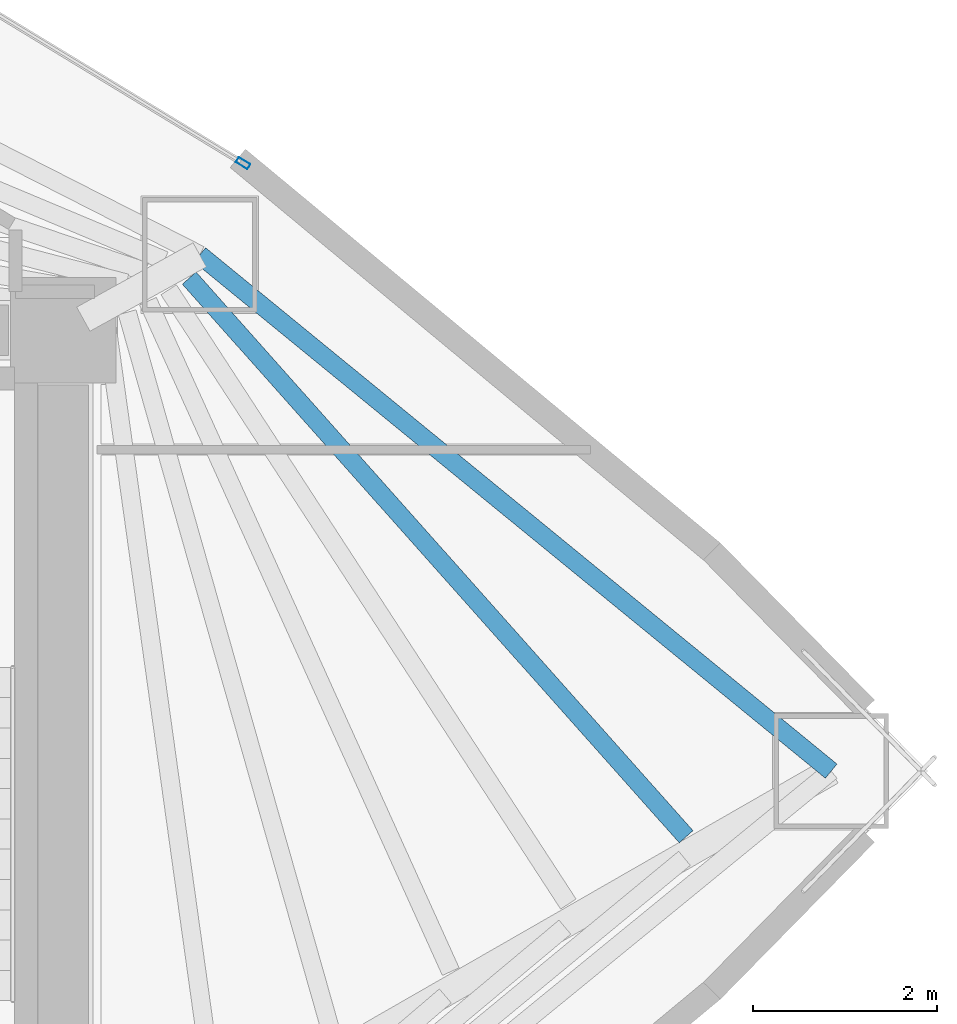
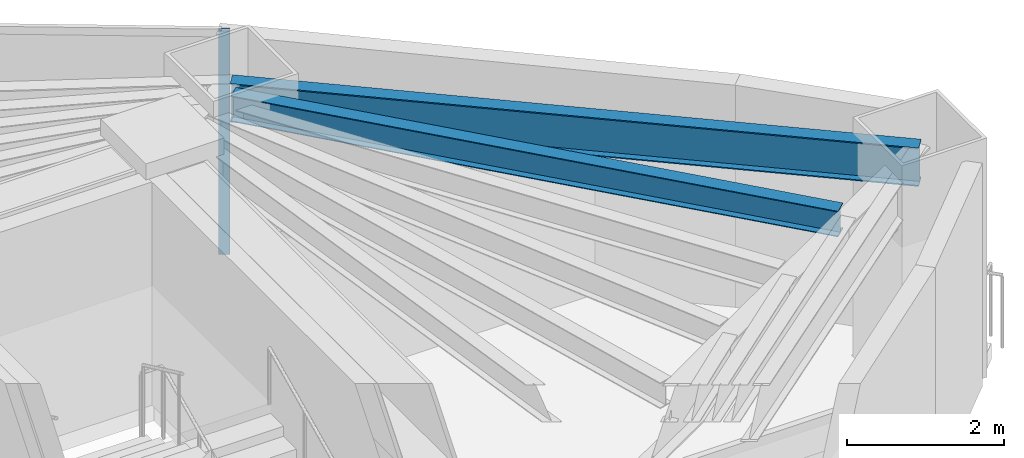
# One storey, part 12 of 18: 2 beams, 1 member, 1 element without a shape of its own.
"""IFC4 building model written with IfcOpenShell, lengths in metres."""

from ifc_helpers import new_model, si_unit, direction, frame, origin, origin_2d, place, context, subcontext, project, spatial, hollow_rectangle, i_section, extrude, material, layer, layer_set, material_profile, profile_set, type_object, element, aggregate, save


model = new_model("IFC4")

# Units and contexts
model_context = context("Model", 3, precision=1e-05, world=origin(), true_north=direction((0.0, 1.0)))
body_context = subcontext(model_context, "Body", "Model", "MODEL_VIEW")
ifc_project = project(units=[si_unit("LENGTHUNIT", "METRE"), si_unit("AREAUNIT", "SQUARE_METRE"), si_unit("VOLUMEUNIT", "CUBIC_METRE"), si_unit("PLANEANGLEUNIT", "RADIAN"), si_unit("MASSUNIT", "GRAM", prefix="KILO")], contexts=[model_context])

# Site, building, storey
site_placement = place(None, origin())
site = spatial("IfcSite", under=ifc_project, at=site_placement, CompositionType="ELEMENT")
building_placement = place(site_placement, origin())
building = spatial("IfcBuilding", under=site, at=building_placement, Name="Menara Vayukalpa", CompositionType="ELEMENT")
storey_placement = place(building_placement, frame((0.0, 0.0, 89.10009765625)))
storey = spatial("IfcBuildingStorey", under=building, at=storey_placement, Name="L21", CompositionType="ELEMENT", Elevation=89.10009765625)

# Beams
ifc_material_1 = material(Name="Steel S355", Category="steel")
ifc_material_profile_1 = material_profile(ifc_material_1, i_section(OverallWidth=0.199951171875, OverallDepth=0.39990234375, WebThickness=0.008056640625, FlangeThickness=0.012939453125, at=origin_2d()), Name="WF 400x200x8x13")
ifc_profile_set_1 = profile_set([ifc_material_profile_1], Name="Steel S355")
beam_type_1 = type_object("IfcBeamType", Name="BM-SJ2", PredefinedType="JOIST", material=ifc_profile_set_1)
beam_1_placement = place(storey_placement, frame((40.182861328125, 21.285400390625, 3.27001953125), z_axis=(-0.664656003625, 0.747149514384, 0.0), x_axis=(-0.747149514384, -0.664656003625, 0.0)))
element("IfcBeam", 1, at=beam_1_placement, inside=storey, type_object=beam_type_1, Name="L21 Secondary Floor Joist SJ01-5", PredefinedType="JOIST", context=body_context, shape_type="SweptSolid", body=[
    extrude(i_section(OverallWidth=0.199951171875, OverallDepth=0.39990234375, WebThickness=0.008056640625, FlangeThickness=0.012939453125, at=origin_2d()), origin(), (0.0, 0.0, 1.0), 8.1416015625),
])
ifc_material_2 = material(Name="Steel S355", Category="steel")
ifc_material_profile_2 = material_profile(ifc_material_2, i_section(OverallWidth=0.199951171875, OverallDepth=0.60009765625, WebThickness=0.010986328125, FlangeThickness=0.01708984375, at=origin_2d()), Name="WF 600x200x11x17")
ifc_profile_set_2 = profile_set([ifc_material_profile_2], Name="Steel S355")
beam_type_2 = type_object("IfcBeamType", Name="BM-SP1", PredefinedType="SPANDREL", material=ifc_profile_set_2)
beam_2_placement = place(storey_placement, frame((41.761962890625, 22.0, 3.169921875), z_axis=(-0.774156906301, 0.632993747541, 0.0), x_axis=(-0.632993747541, -0.774156906301, 0.0)))
element("IfcBeam", 2, at=beam_2_placement, inside=storey, type_object=beam_type_2, Name="L21 Perimeter Spandrel Beam SP01", PredefinedType="SPANDREL", context=body_context, shape_type="SweptSolid", body=[
    extrude(i_section(OverallWidth=0.199951171875, OverallDepth=0.60009765625, WebThickness=0.010986328125, FlangeThickness=0.01708984375, at=origin_2d()), origin(), (0.0, 0.0, 1.0), 8.880859375),
])

# Curtain wall, member
ifc_material_3 = material(Name="Anodised Terracotta Aluminium Alloy 6063-T6", Category="masonry")
ifc_layer = layer(ifc_material_3, 0.14990234375)
ifc_layer_set = layer_set([ifc_layer], Name="Anodised Terracotta Aluminium Alloy 6063-T6")
curtain_wall_type = type_object("IfcCurtainWallType", Name="CW-CW3", PredefinedType="USERDEFINED", material=ifc_layer_set)
curtain_wall_placement = place(storey_placement, origin())
curtain_wall = element("IfcCurtainWall", 3, at=curtain_wall_placement, inside=storey, type_object=curtain_wall_type, Name="L21 Mid Rise Terracotta Ribbon Curtain Wall CW3 04", ObjectType="UNITISED", PredefinedType="USERDEFINED")
ifc_material_4 = material(Name="Anodised Terracotta Aluminium Alloy 6063-T6", Category="masonry")
ifc_material_profile_3 = material_profile(ifc_material_4, hollow_rectangle(XDim=0.06494140625, YDim=0.14990234375, WallThickness=0.00341796875, at=origin_2d()), Name="ALU 65x150x3.5")
ifc_profile_set_3 = profile_set([ifc_material_profile_3], Name="Anodised Terracotta Aluminium Alloy 6063-T6")
member_type = type_object("IfcMemberType", Name="CWM-CW3", PredefinedType="MULLION", material=ifc_profile_set_3)
member_placement = place(storey_placement, frame((35.358154296875, 28.61865234375, 0.0), z_axis=(0.0, 0.0, 1.0), x_axis=(-0.519182959112, -0.854663123674, 0.0)))
member = element("IfcMember", 4, at=member_placement, type_object=member_type, Name="CW3 mullion 1", PredefinedType="MULLION", context=body_context, shape_type="SweptSolid", body=[
    extrude(hollow_rectangle(XDim=0.06494140625, YDim=0.14990234375, WallThickness=0.00341796875, at=origin_2d()), origin(), (0.0, 0.0, 1.0), 3.469970703125),
])
aggregate(curtain_wall, [member])

save(model, "model.ifc")
